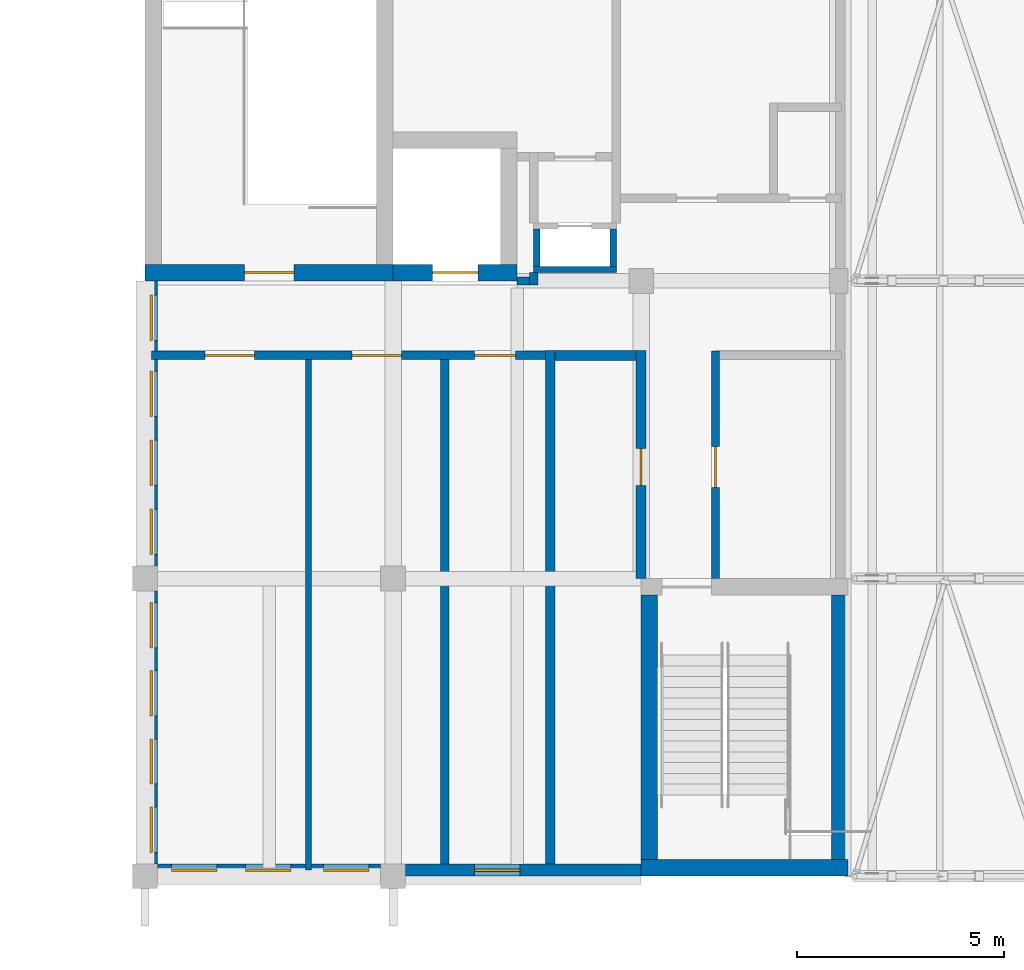
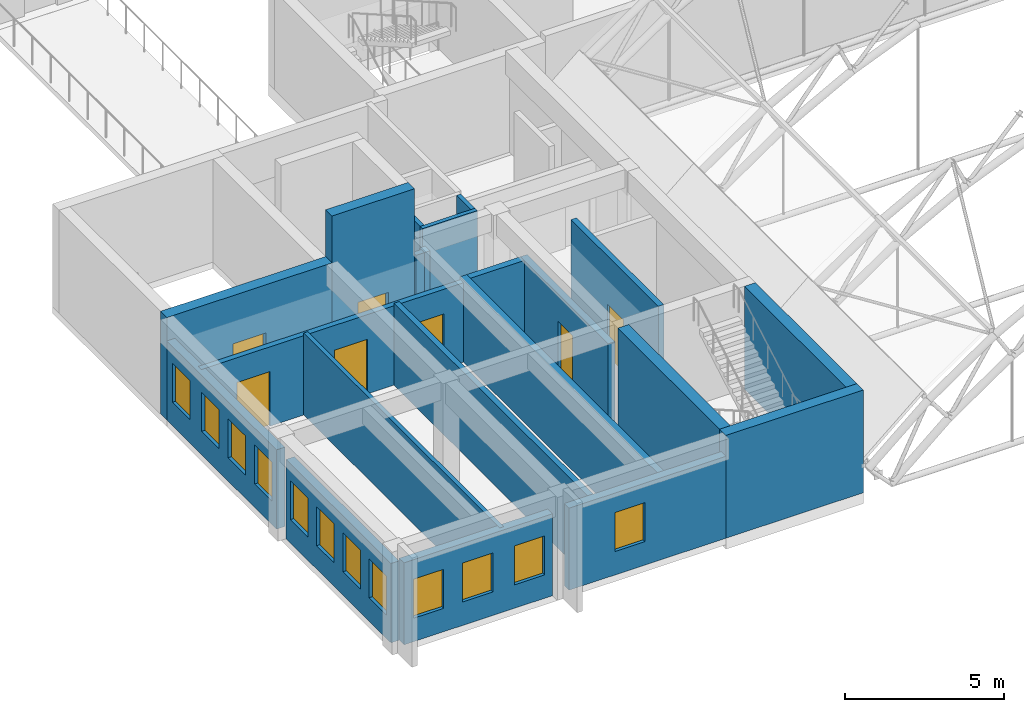
# One storey, part 69 of 101: 21 walls, 12 windows, 7 doors, 19 openings.
"""IFC4 building model written with IfcOpenShell, lengths in metres."""

from ifc_helpers import new_model, si_unit, direction, frame, frame_2d, origin, place, context, subcontext, project, spatial, rectangle, extrude, material, layer, layer_set, type_object, element, fill, save


model = new_model("IFC4")

# Units and contexts
model_context = context("Model", 3, precision=1e-05, world=origin(), true_north=direction((0.0, 1.0)))
body_context = subcontext(model_context, "Body", "Model", "MODEL_VIEW")
ifc_project = project(units=[si_unit("LENGTHUNIT", "METRE"), si_unit("AREAUNIT", "SQUARE_METRE"), si_unit("VOLUMEUNIT", "CUBIC_METRE"), si_unit("PLANEANGLEUNIT", "RADIAN"), si_unit("MASSUNIT", "GRAM", prefix="KILO")], contexts=[model_context])

# Site, building, storey
site_placement = place(None, origin())
site = spatial("IfcSite", under=ifc_project, at=site_placement, CompositionType="ELEMENT")
building_placement = place(site_placement, origin())
building = spatial("IfcBuilding", under=site, at=building_placement, Name="Laocheng Heights Fire and Rescue Headquarters", CompositionType="ELEMENT")
storey_placement = place(building_placement, frame((0.0, 0.0, 8.39990234375)))
storey = spatial("IfcBuildingStorey", under=building, at=storey_placement, Name="L02", CompositionType="ELEMENT", Elevation=8.39990234375)

# Walls
ifc_material_1 = material(Name="Gypsum plaster")
ifc_layer_1 = layer(ifc_material_1, 0.010009765625, Name="PLASTER", Category="plaster")
ifc_material_2 = material(Name="Concrete blockwork MU10", Category="masonry")
ifc_layer_2 = layer(ifc_material_2, 0.179931640625, Name="BLOCKWORK", Category="masonry")
ifc_layer_3 = layer(ifc_material_1, 0.010009765625, Name="PLASTER", Category="plaster")
ifc_layer_set_1 = layer_set([ifc_layer_1, ifc_layer_2, ifc_layer_3], Name="Concrete blockwork MU10")
wall_type_1 = type_object("IfcWallType", Name="BLOCKWORK FIRE PARTITION 200 EI 60 BAY", PredefinedType="PARTITIONING", material=ifc_layer_set_1)
wall_1_placement = place(storey_placement, frame((7.25, 0.14990234375, 0.0), z_axis=(0.0, 0.0, 1.0), x_axis=(0.0, 1.0, 0.0)))
element("IfcWall", 1, at=wall_1_placement, inside=storey, type_object=wall_type_1, Name="Partition L02-002", PredefinedType="PARTITIONING", context=body_context, shape_type="SweptSolid", body=[
    extrude(rectangle(XDim=12.35009765625, YDim=0.199951171875, at=frame_2d((6.175048828125, 0.0))), origin(), (0.0, 0.0, 1.0), 3.150146484375),
])
wall_2_placement = place(storey_placement, frame((9.39990234375, 14.300048828125, 0.0), z_axis=(0.0, 0.0, 1.0), x_axis=(0.0, 1.0, 0.0)))
element("IfcWall", 2, at=wall_2_placement, inside=storey, type_object=wall_type_1, Name="Partition L02-003", PredefinedType="PARTITIONING", context=body_context, shape_type="SweptSolid", body=[
    extrude(rectangle(XDim=0.300048828125, YDim=0.199951171875, at=frame_2d((0.14990234375, 0.0))), origin(), (0.0, 0.0, 1.0), 3.25),
])

# Wall, opening, door
wall_3_placement = place(storey_placement, frame((13.800048828125, 7.199951171875, 0.0), z_axis=(0.0, 0.0, 1.0), x_axis=(0.0, 1.0, 0.0)))
wall_3 = element("IfcWall", 3, at=wall_3_placement, inside=storey, type_object=wall_type_1, Name="Partition L02-008", PredefinedType="PARTITIONING", context=body_context, shape_type="SweptSolid", body=[
    extrude(rectangle(XDim=5.5, YDim=0.199951171875, at=frame_2d((2.75, 0.0))), origin(), (0.0, 0.0, 1.0), 3.9501953125),
])
opening_1_placement = place(wall_3_placement, frame((2.199951171875, 0.0, 0.0)))
opening_1 = element("IfcOpeningElement", 4, at=opening_1_placement, cuts=wall_3, Name="Opening L02-I05", PredefinedType="OPENING", context=body_context, shape_type="SweptSolid", body=[
    extrude(rectangle(XDim=1.0, YDim=2.10009765625, at=frame_2d((0.5, 1.050048828125))), frame((0.0, 0.10986328125, 0.0), z_axis=(0.0, -1.0, 0.0), x_axis=(1.0, 0.0, 0.0)), (0.0, 0.0, 1.0), 0.219970703125),
])
ifc_material_3 = material(Name="Steel door leaf, painted", Category="steel")
door_type_1 = type_object("IfcDoorType", Name="STEEL FIRE DOOR 1000x2100 EI 60 BAY", OperationType="SINGLE_SWING_LEFT", PredefinedType="DOOR", material=ifc_material_3)
door_1_placement = place(opening_1_placement, frame((1.0, 0.0, 0.0), z_axis=(0.0, 0.0, 1.0), x_axis=(-1.0, 0.0, 0.0)))
door_1 = element("IfcDoor", 5, at=door_1_placement, inside=storey, type_object=door_type_1, Name="Door L02-I05", OperationType="SINGLE_SWING_LEFT", OverallHeight=2.10009765625, OverallWidth=1.0, PredefinedType="DOOR", context=body_context, shape_type="SweptSolid", body=[
    extrude(rectangle(XDim=1.0, YDim=2.10009765625, at=frame_2d((0.5, 1.050048828125))), frame((0.0, 0.02490234375, 0.0), z_axis=(0.0, -1.0, 0.0), x_axis=(1.0, 0.0, 0.0)), (0.0, 0.0, 1.0), 0.050048828125),
])
fill(opening_1, door_1)

# Wall, openings, doors
wall_4_placement = place(storey_placement, frame((0.14990234375, 12.60009765625, 0.0), z_axis=(0.0, 0.0, 1.0), x_axis=(1.0, 0.0, 0.0)))
wall_4 = element("IfcWall", 6, at=wall_4_placement, inside=storey, type_object=wall_type_1, Name="Partition L02-016", PredefinedType="PARTITIONING", context=body_context, shape_type="SweptSolid", body=[
    extrude(rectangle(XDim=9.530029296875, YDim=0.199951171875, at=frame_2d((4.76513671875, 0.0))), origin(), (0.0, 0.0, 1.0), 3.050048828125),
])
opening_2_placement = place(wall_4_placement, frame((1.300048828125, 0.0, 0.0)))
opening_2 = element("IfcOpeningElement", 7, at=opening_2_placement, cuts=wall_4, Name="Opening L02-I01", PredefinedType="OPENING", context=body_context, shape_type="SweptSolid", body=[
    extrude(rectangle(XDim=1.199951171875, YDim=2.10009765625, at=frame_2d((0.60009765625, 1.050048828125))), frame((0.0, 0.10986328125, 0.0), z_axis=(0.0, -1.0, 0.0), x_axis=(1.0, 0.0, 0.0)), (0.0, 0.0, 1.0), 0.219970703125),
])
opening_3_placement = place(wall_4_placement, frame((4.85009765625, 0.0, 0.0)))
opening_3 = element("IfcOpeningElement", 8, at=opening_3_placement, cuts=wall_4, Name="Opening L02-I02", PredefinedType="OPENING", context=body_context, shape_type="SweptSolid", body=[
    extrude(rectangle(XDim=1.199951171875, YDim=2.10009765625, at=frame_2d((0.60009765625, 1.050048828125))), frame((0.0, 0.10986328125, 0.0), z_axis=(0.0, -1.0, 0.0), x_axis=(1.0, 0.0, 0.0)), (0.0, 0.0, 1.0), 0.219970703125),
])
opening_4_placement = place(wall_4_placement, frame((7.81494140625, 0.0, 0.0)))
opening_4 = element("IfcOpeningElement", 9, at=opening_4_placement, cuts=wall_4, Name="Opening L02-I03", PredefinedType="OPENING", context=body_context, shape_type="SweptSolid", body=[
    extrude(rectangle(XDim=1.0, YDim=2.10009765625, at=frame_2d((0.5, 1.050048828125))), frame((0.0, 0.10986328125, 0.0), z_axis=(0.0, -1.0, 0.0), x_axis=(1.0, 0.0, 0.0)), (0.0, 0.0, 1.0), 0.219970703125),
])
door_2_placement = place(opening_4_placement, frame((1.0, 0.0, 0.0), z_axis=(0.0, 0.0, 1.0), x_axis=(-1.0, 0.0, 0.0)))
door_2 = element("IfcDoor", 10, at=door_2_placement, inside=storey, type_object=door_type_1, Name="Door L02-I03", OperationType="SINGLE_SWING_RIGHT", OverallHeight=2.10009765625, OverallWidth=1.0, PredefinedType="DOOR", context=body_context, shape_type="SweptSolid", body=[
    extrude(rectangle(XDim=1.0, YDim=2.10009765625, at=frame_2d((0.5, 1.050048828125))), frame((0.0, 0.02490234375, 0.0), z_axis=(0.0, -1.0, 0.0), x_axis=(1.0, 0.0, 0.0)), (0.0, 0.0, 1.0), 0.050048828125),
])
fill(opening_4, door_2)
ifc_material_4 = material(Name="Steel door leaf, painted", Category="steel")
door_type_2 = type_object("IfcDoorType", Name="STEEL FIRE DOOR 1200x2100 EI 60 BAY", OperationType="SINGLE_SWING_LEFT", PredefinedType="DOOR", material=ifc_material_4)
door_3_placement = place(opening_2_placement, frame((1.199951171875, 0.0, 0.0), z_axis=(0.0, 0.0, 1.0), x_axis=(-1.0, 0.0, 0.0)))
door_3 = element("IfcDoor", 11, at=door_3_placement, inside=storey, type_object=door_type_2, Name="Door L02-I01", OperationType="SINGLE_SWING_RIGHT", OverallHeight=2.10009765625, OverallWidth=1.199951171875, PredefinedType="DOOR", context=body_context, shape_type="SweptSolid", body=[
    extrude(rectangle(XDim=1.199951171875, YDim=2.10009765625, at=frame_2d((0.60009765625, 1.050048828125))), frame((0.0, 0.02490234375, 0.0), z_axis=(0.0, -1.0, 0.0), x_axis=(1.0, 0.0, 0.0)), (0.0, 0.0, 1.0), 0.050048828125),
])
fill(opening_2, door_3)
door_4_placement = place(opening_3_placement, frame((1.199951171875, 0.0, 0.0), z_axis=(0.0, 0.0, 1.0), x_axis=(-1.0, 0.0, 0.0)))
door_4 = element("IfcDoor", 12, at=door_4_placement, inside=storey, type_object=door_type_2, Name="Door L02-I02", OperationType="SINGLE_SWING_LEFT", OverallHeight=2.10009765625, OverallWidth=1.199951171875, PredefinedType="DOOR", context=body_context, shape_type="SweptSolid", body=[
    extrude(rectangle(XDim=1.199951171875, YDim=2.10009765625, at=frame_2d((0.60009765625, 1.050048828125))), frame((0.0, 0.02490234375, 0.0), z_axis=(0.0, -1.0, 0.0), x_axis=(1.0, 0.0, 0.0)), (0.0, 0.0, 1.0), 0.050048828125),
])
fill(opening_3, door_4)

# Walls
wall_5_placement = place(storey_placement, frame((9.0, 14.39990234375, 0.0), z_axis=(0.0, 0.0, 1.0), x_axis=(1.0, 0.0, 0.0)))
element("IfcWall", 13, at=wall_5_placement, inside=storey, type_object=wall_type_1, Name="Partition L02-021", PredefinedType="PARTITIONING", context=body_context, shape_type="SweptSolid", body=[
    extrude(rectangle(XDim=0.300048828125, YDim=0.199951171875, at=frame_2d((0.14990234375, 0.0))), origin(), (0.0, 0.0, 1.0), 3.25),
])
ifc_material_5 = material(Name="Gypsum plaster")
ifc_layer_4 = layer(ifc_material_5, 0.010009765625, Name="PLASTER", Category="plaster")
ifc_material_6 = material(Name="Concrete blockwork MU10", Category="masonry")
ifc_layer_5 = layer(ifc_material_6, 0.1298828125, Name="BLOCKWORK", Category="masonry")
ifc_layer_6 = layer(ifc_material_5, 0.010009765625, Name="PLASTER", Category="plaster")
ifc_layer_set_2 = layer_set([ifc_layer_4, ifc_layer_5, ifc_layer_6], Name="Concrete blockwork MU10")
wall_type_2 = type_object("IfcWallType", Name="BLOCKWORK PARTITION 150 EI 45 BAY", PredefinedType="PARTITIONING", material=ifc_layer_set_2)
wall_6_placement = place(storey_placement, frame((3.949951171875, 0.14990234375, 0.0), z_axis=(0.0, 0.0, 1.0), x_axis=(0.0, 1.0, 0.0)))
element("IfcWall", 14, at=wall_6_placement, inside=storey, type_object=wall_type_2, Name="Partition L02-001", PredefinedType="PARTITIONING", context=body_context, shape_type="SweptSolid", body=[
    extrude(rectangle(XDim=12.35009765625, YDim=0.14990234375, at=frame_2d((6.175048828125, 0.0))), origin(), (0.0, 0.0, 1.0), 3.150146484375),
])
ifc_material_7 = material(Name="Gypsum plaster")
ifc_layer_7 = layer(ifc_material_7, 0.010009765625, Name="PLASTER", Category="plaster")
ifc_material_8 = material(Name="Clay brick masonry MU10", Category="masonry")
ifc_layer_8 = layer(ifc_material_8, 0.219970703125, Name="BLOCKWORK", Category="masonry")
ifc_layer_9 = layer(ifc_material_7, 0.010009765625, Name="PLASTER", Category="plaster")
ifc_layer_set_3 = layer_set([ifc_layer_7, ifc_layer_8, ifc_layer_9], Name="Clay brick masonry MU10")
wall_type_3 = type_object("IfcWallType", Name="CLAY BRICK WALL 240 EI 120 BAY", PredefinedType="PARTITIONING", material=ifc_layer_set_3)
wall_7_placement = place(storey_placement, frame((9.800048828125, 0.14990234375, 0.0), z_axis=(0.0, 0.0, 1.0), x_axis=(0.0, 1.0, 0.0)))
element("IfcWall", 15, at=wall_7_placement, inside=storey, type_object=wall_type_3, Name="Partition L02-005", PredefinedType="PARTITIONING", context=body_context, shape_type="SweptSolid", body=[
    extrude(rectangle(XDim=12.570068359375, YDim=0.239990234375, at=frame_2d((6.28515625, 0.0))), origin(), (0.0, 0.0, 1.0), 3.150146484375),
])

# Wall, opening, door
wall_8_placement = place(storey_placement, frame((12.0, 7.199951171875, 0.0), z_axis=(0.0, 0.0, 1.0), x_axis=(0.0, 1.0, 0.0)))
wall_8 = element("IfcWall", 16, at=wall_8_placement, inside=storey, type_object=wall_type_3, Name="Partition L02-007", PredefinedType="PARTITIONING", context=body_context, shape_type="SweptSolid", body=[
    extrude(rectangle(XDim=5.52001953125, YDim=0.239990234375, at=frame_2d((2.760009765625, 0.0))), origin(), (0.0, 0.0, 1.0), 3.150146484375),
])
opening_5_placement = place(wall_8_placement, frame((2.25, 0.0, 0.0)))
opening_5 = element("IfcOpeningElement", 17, at=opening_5_placement, cuts=wall_8, Name="Opening L02-I04", PredefinedType="OPENING", context=body_context, shape_type="SweptSolid", body=[
    extrude(rectangle(XDim=0.89990234375, YDim=2.10009765625, at=frame_2d((0.449951171875, 1.050048828125))), frame((0.0, 0.1298828125, 0.0), z_axis=(0.0, -1.0, 0.0), x_axis=(1.0, 0.0, 0.0)), (0.0, 0.0, 1.0), 0.260009765625),
])
ifc_material_9 = material(Name="Steel door leaf, painted", Category="steel")
door_type_3 = type_object("IfcDoorType", Name="STEEL FIRE DOOR 900x2100 EI 120 BAY", OperationType="SINGLE_SWING_LEFT", PredefinedType="DOOR", material=ifc_material_9)
door_5_placement = place(opening_5_placement, origin())
door_5 = element("IfcDoor", 18, at=door_5_placement, inside=storey, type_object=door_type_3, Name="Door L02-I04", OperationType="SINGLE_SWING_RIGHT", OverallHeight=2.10009765625, OverallWidth=0.89990234375, PredefinedType="DOOR", context=body_context, shape_type="SweptSolid", body=[
    extrude(rectangle(XDim=0.89990234375, YDim=2.10009765625, at=frame_2d((0.449951171875, 1.050048828125))), frame((0.0, 0.02490234375, 0.0), z_axis=(0.0, -1.0, 0.0), x_axis=(1.0, 0.0, 0.0)), (0.0, 0.0, 1.0), 0.050048828125),
])
fill(opening_5, door_5)

# Wall
wall_9_placement = place(storey_placement, frame((9.919921875, 12.60009765625, 0.0), z_axis=(0.0, 0.0, 1.0), x_axis=(1.0, 0.0, 0.0)))
element("IfcWall", 19, at=wall_9_placement, inside=storey, type_object=wall_type_3, Name="Partition L02-017", PredefinedType="PARTITIONING", context=body_context, shape_type="SweptSolid", body=[
    extrude(rectangle(XDim=1.9599609375, YDim=0.239990234375, at=frame_2d((0.97998046875, 0.0))), origin(), (0.0, 0.0, 1.0), 3.150146484375),
])

# Wall, openings, windows
ifc_material_10 = material(Name="Precast concrete C40/50", Category="concrete")
ifc_layer_10 = layer(ifc_material_10, 0.300048828125)
ifc_layer_set_4 = layer_set([ifc_layer_10], Name="Precast concrete C40/50")
wall_type_4 = type_object("IfcWallType", Name="PRECAST SANDWICH WALL 300 WEST FLANK", PredefinedType="SOLIDWALL", material=ifc_layer_set_4)
wall_10_placement = place(storey_placement, frame((0.300048828125, 0.14990234375, 0.0), z_axis=(0.0, 0.0, 1.0), x_axis=(1.0, 0.0, 0.0)))
wall_10 = element("IfcWall", 20, at=wall_10_placement, inside=storey, type_object=wall_type_4, Name="Flank W wall L02", PredefinedType="SOLIDWALL", context=body_context, shape_type="SweptSolid", body=[
    extrude(rectangle(XDim=5.39990234375, YDim=0.300048828125, at=frame_2d((2.699951171875, 0.0))), origin(), (0.0, 0.0, 1.0), 3.150146484375),
])
opening_6_placement = place(wall_10_placement, frame((0.34375, 0.0, 0.89990234375)))
opening_6 = element("IfcOpeningElement", 21, at=opening_6_placement, cuts=wall_10, Name="Opening N1-E", PredefinedType="OPENING", context=body_context, shape_type="SweptSolid", body=[
    extrude(rectangle(XDim=1.10009765625, YDim=1.5, at=frame_2d((0.550048828125, 0.75))), frame((0.0, 0.159912109375, 0.0), z_axis=(0.0, -1.0, 0.0), x_axis=(1.0, 0.0, 0.0)), (0.0, 0.0, 1.0), 0.320068359375),
])
opening_7_placement = place(wall_10_placement, frame((2.13134765625, 0.0, 0.89990234375)))
opening_7 = element("IfcOpeningElement", 22, at=opening_7_placement, cuts=wall_10, Name="Opening N1-E", PredefinedType="OPENING", context=body_context, shape_type="SweptSolid", body=[
    extrude(rectangle(XDim=1.10009765625, YDim=1.5, at=frame_2d((0.550048828125, 0.75))), frame((0.0, 0.159912109375, 0.0), z_axis=(0.0, -1.0, 0.0), x_axis=(1.0, 0.0, 0.0)), (0.0, 0.0, 1.0), 0.320068359375),
])
opening_8_placement = place(wall_10_placement, frame((4.012451171875, 0.0, 0.89990234375)))
opening_8 = element("IfcOpeningElement", 23, at=opening_8_placement, cuts=wall_10, Name="Opening N1-E", PredefinedType="OPENING", context=body_context, shape_type="SweptSolid", body=[
    extrude(rectangle(XDim=1.10009765625, YDim=1.5, at=frame_2d((0.550048828125, 0.75))), frame((0.0, 0.159912109375, 0.0), z_axis=(0.0, -1.0, 0.0), x_axis=(1.0, 0.0, 0.0)), (0.0, 0.0, 1.0), 0.320068359375),
])
ifc_material_11 = material(Name="Low-e double glazing in thermally broken aluminium frame", Category="aluminium")
window_type = type_object("IfcWindowType", Name="CASEMENT WINDOW 1100 x 1500 SILL 900", PartitioningType="SINGLE_PANEL", PredefinedType="WINDOW", material=ifc_material_11)
window_1_placement = place(opening_6_placement, origin())
window_1 = element("IfcWindow", 24, at=window_1_placement, inside=storey, type_object=window_type, Name="Flank_W window L02", OverallHeight=1.5, OverallWidth=1.10009765625, PartitioningType="SINGLE_PANEL", PredefinedType="WINDOW", context=body_context, shape_type="SweptSolid", body=[
    extrude(rectangle(XDim=1.10009765625, YDim=1.5, at=frame_2d((0.550048828125, 0.75))), frame((0.0, 0.030029296875, 0.0), z_axis=(0.0, -1.0, 0.0), x_axis=(1.0, 0.0, 0.0)), (0.0, 0.0, 1.0), 0.06005859375),
])
fill(opening_6, window_1)
window_2_placement = place(opening_7_placement, origin())
window_2 = element("IfcWindow", 25, at=window_2_placement, inside=storey, type_object=window_type, Name="Flank_W window L02", OverallHeight=1.5, OverallWidth=1.10009765625, PartitioningType="SINGLE_PANEL", PredefinedType="WINDOW", context=body_context, shape_type="SweptSolid", body=[
    extrude(rectangle(XDim=1.10009765625, YDim=1.5, at=frame_2d((0.550048828125, 0.75))), frame((0.0, 0.030029296875, 0.0), z_axis=(0.0, -1.0, 0.0), x_axis=(1.0, 0.0, 0.0)), (0.0, 0.0, 1.0), 0.06005859375),
])
fill(opening_7, window_2)
window_3_placement = place(opening_8_placement, origin())
window_3 = element("IfcWindow", 26, at=window_3_placement, inside=storey, type_object=window_type, Name="Flank_W window L02", OverallHeight=1.5, OverallWidth=1.10009765625, PartitioningType="SINGLE_PANEL", PredefinedType="WINDOW", context=body_context, shape_type="SweptSolid", body=[
    extrude(rectangle(XDim=1.10009765625, YDim=1.5, at=frame_2d((0.550048828125, 0.75))), frame((0.0, 0.030029296875, 0.0), z_axis=(0.0, -1.0, 0.0), x_axis=(1.0, 0.0, 0.0)), (0.0, 0.0, 1.0), 0.06005859375),
])
fill(opening_8, window_3)

# Wall, opening, window
wall_11_placement = place(storey_placement, frame((6.300048828125, 0.14990234375, 0.0), z_axis=(0.0, 0.0, 1.0), x_axis=(1.0, 0.0, 0.0)))
wall_11 = element("IfcWall", 27, at=wall_11_placement, inside=storey, type_object=wall_type_4, Name="Flank W wall L02", PredefinedType="SOLIDWALL", context=body_context, shape_type="SweptSolid", body=[
    extrude(rectangle(XDim=5.699951171875, YDim=0.300048828125, at=frame_2d((2.85009765625, 0.0))), origin(), (0.0, 0.0, 1.0), 3.150146484375),
])
opening_9_placement = place(wall_11_placement, frame((1.6650390625, 0.0, 0.89990234375)))
opening_9 = element("IfcOpeningElement", 28, at=opening_9_placement, cuts=wall_11, Name="Opening N1-E", PredefinedType="OPENING", context=body_context, shape_type="SweptSolid", body=[
    extrude(rectangle(XDim=1.10009765625, YDim=1.5, at=frame_2d((0.550048828125, 0.75))), frame((0.0, 0.159912109375, 0.0), z_axis=(0.0, -1.0, 0.0), x_axis=(1.0, 0.0, 0.0)), (0.0, 0.0, 1.0), 0.320068359375),
])
window_4_placement = place(opening_9_placement, origin())
window_4 = element("IfcWindow", 29, at=window_4_placement, inside=storey, type_object=window_type, Name="Flank_W window L02", OverallHeight=1.5, OverallWidth=1.10009765625, PartitioningType="SINGLE_PANEL", PredefinedType="WINDOW", context=body_context, shape_type="SweptSolid", body=[
    extrude(rectangle(XDim=1.10009765625, YDim=1.5, at=frame_2d((0.550048828125, 0.75))), frame((0.0, 0.030029296875, 0.0), z_axis=(0.0, -1.0, 0.0), x_axis=(1.0, 0.0, 0.0)), (0.0, 0.0, 1.0), 0.06005859375),
])
fill(opening_9, window_4)

# Wall, openings, windows
wall_12_placement = place(storey_placement, frame((0.14990234375, 0.300048828125, 0.0), z_axis=(0.0, 0.0, 1.0), x_axis=(0.0, 1.0, 0.0)))
wall_12 = element("IfcWall", 30, at=wall_12_placement, inside=storey, type_object=wall_type_4, Name="Flank W wall L02", PredefinedType="SOLIDWALL", context=body_context, shape_type="SweptSolid", body=[
    extrude(rectangle(XDim=6.599853515625, YDim=0.300048828125, at=frame_2d((3.2998046875, 0.0))), origin(), (0.0, 0.0, 1.0), 3.050048828125),
])
opening_10_placement = place(wall_12_placement, frame((0.27490234375, 0.0, 0.89990234375)))
opening_10 = element("IfcOpeningElement", 31, at=opening_10_placement, cuts=wall_12, Name="Opening N1-E", PredefinedType="OPENING", context=body_context, shape_type="SweptSolid", body=[
    extrude(rectangle(XDim=1.10009765625, YDim=1.5, at=frame_2d((0.550048828125, 0.75))), frame((0.0, 0.159912109375, 0.0), z_axis=(0.0, -1.0, 0.0), x_axis=(1.0, 0.0, 0.0)), (0.0, 0.0, 1.0), 0.320068359375),
])
opening_11_placement = place(wall_12_placement, frame((1.925048828125, 0.0, 0.89990234375)))
opening_11 = element("IfcOpeningElement", 32, at=opening_11_placement, cuts=wall_12, Name="Opening N1-E", PredefinedType="OPENING", context=body_context, shape_type="SweptSolid", body=[
    extrude(rectangle(XDim=1.10009765625, YDim=1.5, at=frame_2d((0.550048828125, 0.75))), frame((0.0, 0.159912109375, 0.0), z_axis=(0.0, -1.0, 0.0), x_axis=(1.0, 0.0, 0.0)), (0.0, 0.0, 1.0), 0.320068359375),
])
opening_12_placement = place(wall_12_placement, frame((3.574951171875, 0.0, 0.89990234375)))
opening_12 = element("IfcOpeningElement", 33, at=opening_12_placement, cuts=wall_12, Name="Opening N1-E", PredefinedType="OPENING", context=body_context, shape_type="SweptSolid", body=[
    extrude(rectangle(XDim=1.10009765625, YDim=1.5, at=frame_2d((0.550048828125, 0.75))), frame((0.0, 0.159912109375, 0.0), z_axis=(0.0, -1.0, 0.0), x_axis=(1.0, 0.0, 0.0)), (0.0, 0.0, 1.0), 0.320068359375),
])
opening_13_placement = place(wall_12_placement, frame((5.22509765625, 0.0, 0.89990234375)))
opening_13 = element("IfcOpeningElement", 34, at=opening_13_placement, cuts=wall_12, Name="Opening N1-E", PredefinedType="OPENING", context=body_context, shape_type="SweptSolid", body=[
    extrude(rectangle(XDim=1.10009765625, YDim=1.5, at=frame_2d((0.550048828125, 0.75))), frame((0.0, 0.159912109375, 0.0), z_axis=(0.0, -1.0, 0.0), x_axis=(1.0, 0.0, 0.0)), (0.0, 0.0, 1.0), 0.320068359375),
])
window_5_placement = place(opening_10_placement, origin())
window_5 = element("IfcWindow", 35, at=window_5_placement, inside=storey, type_object=window_type, Name="Flank_W window L02", OverallHeight=1.5, OverallWidth=1.10009765625, PartitioningType="SINGLE_PANEL", PredefinedType="WINDOW", context=body_context, shape_type="SweptSolid", body=[
    extrude(rectangle(XDim=1.10009765625, YDim=1.5, at=frame_2d((0.550048828125, 0.75))), frame((0.0, 0.030029296875, 0.0), z_axis=(0.0, -1.0, 0.0), x_axis=(1.0, 0.0, 0.0)), (0.0, 0.0, 1.0), 0.06005859375),
])
fill(opening_10, window_5)
window_6_placement = place(opening_11_placement, origin())
window_6 = element("IfcWindow", 36, at=window_6_placement, inside=storey, type_object=window_type, Name="Flank_W window L02", OverallHeight=1.5, OverallWidth=1.10009765625, PartitioningType="SINGLE_PANEL", PredefinedType="WINDOW", context=body_context, shape_type="SweptSolid", body=[
    extrude(rectangle(XDim=1.10009765625, YDim=1.5, at=frame_2d((0.550048828125, 0.75))), frame((0.0, 0.030029296875, 0.0), z_axis=(0.0, -1.0, 0.0), x_axis=(1.0, 0.0, 0.0)), (0.0, 0.0, 1.0), 0.06005859375),
])
fill(opening_11, window_6)
window_7_placement = place(opening_12_placement, origin())
window_7 = element("IfcWindow", 37, at=window_7_placement, inside=storey, type_object=window_type, Name="Flank_W window L02", OverallHeight=1.5, OverallWidth=1.10009765625, PartitioningType="SINGLE_PANEL", PredefinedType="WINDOW", context=body_context, shape_type="SweptSolid", body=[
    extrude(rectangle(XDim=1.10009765625, YDim=1.5, at=frame_2d((0.550048828125, 0.75))), frame((0.0, 0.030029296875, 0.0), z_axis=(0.0, -1.0, 0.0), x_axis=(1.0, 0.0, 0.0)), (0.0, 0.0, 1.0), 0.06005859375),
])
fill(opening_12, window_7)
window_8_placement = place(opening_13_placement, origin())
window_8 = element("IfcWindow", 38, at=window_8_placement, inside=storey, type_object=window_type, Name="Flank_W window L02", OverallHeight=1.5, OverallWidth=1.10009765625, PartitioningType="SINGLE_PANEL", PredefinedType="WINDOW", context=body_context, shape_type="SweptSolid", body=[
    extrude(rectangle(XDim=1.10009765625, YDim=1.5, at=frame_2d((0.550048828125, 0.75))), frame((0.0, 0.030029296875, 0.0), z_axis=(0.0, -1.0, 0.0), x_axis=(1.0, 0.0, 0.0)), (0.0, 0.0, 1.0), 0.06005859375),
])
fill(opening_13, window_8)

wall_13_placement = place(storey_placement, frame((0.14990234375, 7.5, 0.0), z_axis=(0.0, 0.0, 1.0), x_axis=(0.0, 1.0, 0.0)))
wall_13 = element("IfcWall", 39, at=wall_13_placement, inside=storey, type_object=wall_type_4, Name="Flank W wall L02", PredefinedType="SOLIDWALL", context=body_context, shape_type="SweptSolid", body=[
    extrude(rectangle(XDim=6.89990234375, YDim=0.300048828125, at=frame_2d((3.449951171875, 0.0))), origin(), (0.0, 0.0, 1.0), 3.050048828125),
])
opening_14_placement = place(wall_13_placement, frame((0.283203125, 0.0, 0.89990234375)))
opening_14 = element("IfcOpeningElement", 40, at=opening_14_placement, cuts=wall_13, Name="Opening N1-E", PredefinedType="OPENING", context=body_context, shape_type="SweptSolid", body=[
    extrude(rectangle(XDim=1.10009765625, YDim=1.5, at=frame_2d((0.550048828125, 0.75))), frame((0.0, 0.159912109375, 0.0), z_axis=(0.0, -1.0, 0.0), x_axis=(1.0, 0.0, 0.0)), (0.0, 0.0, 1.0), 0.320068359375),
])
opening_15_placement = place(wall_13_placement, frame((1.949951171875, 0.0, 0.89990234375)))
opening_15 = element("IfcOpeningElement", 41, at=opening_15_placement, cuts=wall_13, Name="Opening N1-E", PredefinedType="OPENING", context=body_context, shape_type="SweptSolid", body=[
    extrude(rectangle(XDim=1.10009765625, YDim=1.5, at=frame_2d((0.550048828125, 0.75))), frame((0.0, 0.159912109375, 0.0), z_axis=(0.0, -1.0, 0.0), x_axis=(1.0, 0.0, 0.0)), (0.0, 0.0, 1.0), 0.320068359375),
])
opening_16_placement = place(wall_13_placement, frame((3.61669921875, 0.0, 0.89990234375)))
opening_16 = element("IfcOpeningElement", 42, at=opening_16_placement, cuts=wall_13, Name="Opening N1-E", PredefinedType="OPENING", context=body_context, shape_type="SweptSolid", body=[
    extrude(rectangle(XDim=1.10009765625, YDim=1.5, at=frame_2d((0.550048828125, 0.75))), frame((0.0, 0.159912109375, 0.0), z_axis=(0.0, -1.0, 0.0), x_axis=(1.0, 0.0, 0.0)), (0.0, 0.0, 1.0), 0.320068359375),
])
opening_17_placement = place(wall_13_placement, frame((5.4599609375, 0.0, 0.89990234375)))
opening_17 = element("IfcOpeningElement", 43, at=opening_17_placement, cuts=wall_13, Name="Opening N1-E", PredefinedType="OPENING", context=body_context, shape_type="SweptSolid", body=[
    extrude(rectangle(XDim=1.10009765625, YDim=1.5, at=frame_2d((0.550048828125, 0.75))), frame((0.0, 0.159912109375, 0.0), z_axis=(0.0, -1.0, 0.0), x_axis=(1.0, 0.0, 0.0)), (0.0, 0.0, 1.0), 0.320068359375),
])
window_9_placement = place(opening_14_placement, origin())
window_9 = element("IfcWindow", 44, at=window_9_placement, inside=storey, type_object=window_type, Name="Flank_W window L02", OverallHeight=1.5, OverallWidth=1.10009765625, PartitioningType="SINGLE_PANEL", PredefinedType="WINDOW", context=body_context, shape_type="SweptSolid", body=[
    extrude(rectangle(XDim=1.10009765625, YDim=1.5, at=frame_2d((0.550048828125, 0.75))), frame((0.0, 0.030029296875, 0.0), z_axis=(0.0, -1.0, 0.0), x_axis=(1.0, 0.0, 0.0)), (0.0, 0.0, 1.0), 0.06005859375),
])
fill(opening_14, window_9)
window_10_placement = place(opening_15_placement, origin())
window_10 = element("IfcWindow", 45, at=window_10_placement, inside=storey, type_object=window_type, Name="Flank_W window L02", OverallHeight=1.5, OverallWidth=1.10009765625, PartitioningType="SINGLE_PANEL", PredefinedType="WINDOW", context=body_context, shape_type="SweptSolid", body=[
    extrude(rectangle(XDim=1.10009765625, YDim=1.5, at=frame_2d((0.550048828125, 0.75))), frame((0.0, 0.030029296875, 0.0), z_axis=(0.0, -1.0, 0.0), x_axis=(1.0, 0.0, 0.0)), (0.0, 0.0, 1.0), 0.06005859375),
])
fill(opening_15, window_10)
window_11_placement = place(opening_16_placement, origin())
window_11 = element("IfcWindow", 46, at=window_11_placement, inside=storey, type_object=window_type, Name="Flank_W window L02", OverallHeight=1.5, OverallWidth=1.10009765625, PartitioningType="SINGLE_PANEL", PredefinedType="WINDOW", context=body_context, shape_type="SweptSolid", body=[
    extrude(rectangle(XDim=1.10009765625, YDim=1.5, at=frame_2d((0.550048828125, 0.75))), frame((0.0, 0.030029296875, 0.0), z_axis=(0.0, -1.0, 0.0), x_axis=(1.0, 0.0, 0.0)), (0.0, 0.0, 1.0), 0.06005859375),
])
fill(opening_16, window_11)
window_12_placement = place(opening_17_placement, origin())
window_12 = element("IfcWindow", 47, at=window_12_placement, inside=storey, type_object=window_type, Name="Flank_W window L02", OverallHeight=1.5, OverallWidth=1.10009765625, PartitioningType="SINGLE_PANEL", PredefinedType="WINDOW", context=body_context, shape_type="SweptSolid", body=[
    extrude(rectangle(XDim=1.10009765625, YDim=1.5, at=frame_2d((0.550048828125, 0.75))), frame((0.0, 0.030029296875, 0.0), z_axis=(0.0, -1.0, 0.0), x_axis=(1.0, 0.0, 0.0)), (0.0, 0.0, 1.0), 0.06005859375),
])
fill(opening_17, window_12)

# Wall, opening, door
ifc_material_12 = material(Name="Concrete C50", Category="concrete")
ifc_layer_11 = layer(ifc_material_12, 0.39990234375)
ifc_layer_set_5 = layer_set([ifc_layer_11], Name="Concrete C50")
wall_type_5 = type_object("IfcWallType", Name="RC LIFT SHAFT WALL 400", PredefinedType="SHEAR", material=ifc_layer_set_5)
wall_14_placement = place(storey_placement, frame((6.0, 14.60009765625, 0.0), z_axis=(0.0, 0.0, 1.0), x_axis=(1.0, 0.0, 0.0)))
wall_14 = element("IfcWall", 48, at=wall_14_placement, inside=storey, type_object=wall_type_5, Name="Lift shaft wall", PredefinedType="SHEAR", context=body_context, shape_type="SweptSolid", body=[
    extrude(rectangle(XDim=3.0, YDim=0.39990234375, at=frame_2d((1.5, 0.0))), origin(), (0.0, 0.0, 1.0), 5.75),
])
opening_18_placement = place(wall_14_placement, frame((0.949951171875, 0.0, 0.0)))
opening_18 = element("IfcOpeningElement", 49, at=opening_18_placement, cuts=wall_14, Name="Opening L02-K02", PredefinedType="OPENING", context=body_context, shape_type="SweptSolid", body=[
    extrude(rectangle(XDim=1.10009765625, YDim=2.10009765625, at=frame_2d((0.550048828125, 1.050048828125))), frame((0.0, 0.2099609375, 0.0), z_axis=(0.0, -1.0, 0.0), x_axis=(1.0, 0.0, 0.0)), (0.0, 0.0, 1.0), 0.419921875),
])
ifc_material_13 = material(Name="Stainless steel", Category="steel")
door_type_4 = type_object("IfcDoorType", Name="LANDING DOOR W-L1 SLIDING 1100x2100 E 120", OperationType="DOUBLE_DOOR_SLIDING", PredefinedType="DOOR", material=ifc_material_13)
door_6_placement = place(opening_18_placement, origin())
door_6 = element("IfcDoor", 50, at=door_6_placement, inside=storey, type_object=door_type_4, Name="Landing door W-L1", OperationType="DOUBLE_DOOR_SLIDING", OverallHeight=2.10009765625, OverallWidth=1.10009765625, PredefinedType="DOOR", context=body_context, shape_type="SweptSolid", body=[
    extrude(rectangle(XDim=1.10009765625, YDim=2.10009765625, at=frame_2d((0.550048828125, 1.050048828125))), frame((0.0, 0.02490234375, 0.0), z_axis=(0.0, -1.0, 0.0), x_axis=(1.0, 0.0, 0.0)), (0.0, 0.0, 1.0), 0.050048828125),
])
fill(opening_18, door_6)

ifc_material_14 = material(Name="Concrete C50", Category="concrete")
ifc_layer_12 = layer(ifc_material_14, 0.39990234375)
ifc_layer_set_6 = layer_set([ifc_layer_12], Name="Concrete C50")
wall_type_6 = type_object("IfcWallType", Name="RC STAIR ENCLOSURE WALL 400", PredefinedType="SHEAR", material=ifc_layer_set_6)
wall_15_placement = place(storey_placement, frame((0.0, 14.60009765625, 0.0), z_axis=(0.0, 0.0, 1.0), x_axis=(1.0, 0.0, 0.0)))
wall_15 = element("IfcWall", 51, at=wall_15_placement, inside=storey, type_object=wall_type_6, Name="Stair enclosure wall", PredefinedType="SHEAR", context=body_context, shape_type="SweptSolid", body=[
    extrude(rectangle(XDim=6.0, YDim=0.39990234375, at=frame_2d((3.0, 0.0))), origin(), (0.0, 0.0, 1.0), 3.9501953125),
])
opening_19_placement = place(wall_15_placement, frame((2.39990234375, 0.0, 0.0)))
opening_19 = element("IfcOpeningElement", 52, at=opening_19_placement, cuts=wall_15, Name="Opening L02-K01", PredefinedType="OPENING", context=body_context, shape_type="SweptSolid", body=[
    extrude(rectangle(XDim=1.199951171875, YDim=2.10009765625, at=frame_2d((0.60009765625, 1.050048828125))), frame((0.0, 0.2099609375, 0.0), z_axis=(0.0, -1.0, 0.0), x_axis=(1.0, 0.0, 0.0)), (0.0, 0.0, 1.0), 0.419921875),
])
ifc_material_15 = material(Name="Painted steel", Category="steel")
door_type_5 = type_object("IfcDoorType", Name="FIRE DOOR 1200x2100 EI 60", OperationType="SINGLE_SWING_LEFT", PredefinedType="DOOR", material=ifc_material_15)
door_7_placement = place(opening_19_placement, origin())
door_7 = element("IfcDoor", 53, at=door_7_placement, inside=storey, type_object=door_type_5, Name="Stair W1 door", OperationType="SINGLE_SWING_LEFT", OverallHeight=2.10009765625, OverallWidth=1.199951171875, PredefinedType="DOOR", context=body_context, shape_type="SweptSolid", body=[
    extrude(rectangle(XDim=1.199951171875, YDim=2.10009765625, at=frame_2d((0.60009765625, 1.050048828125))), frame((0.0, 0.02490234375, 0.0), z_axis=(0.0, -1.0, 0.0), x_axis=(1.0, 0.0, 0.0)), (0.0, 0.0, 1.0), 0.050048828125),
])
fill(opening_19, door_7)

# Walls
wall_16_placement = place(storey_placement, frame((12.0, 0.199951171875, 0.0), z_axis=(0.0, 0.0, 1.0), x_axis=(1.0, 0.0, 0.0)))
element("IfcWall", 54, at=wall_16_placement, inside=storey, type_object=wall_type_6, Name="Stair enclosure wall", PredefinedType="SHEAR", context=body_context, shape_type="SweptSolid", body=[
    extrude(rectangle(XDim=5.0, YDim=0.39990234375, at=frame_2d((2.5, 0.0))), origin(), (0.0, 0.0, 1.0), 3.9501953125),
])
for number, where, z_axis, x_axis, name in (
    (55, (12.199951171875, 0.39990234375, 0.0), (0.0, 0.0, 1.0), (0.0, 1.0, 0.0), "Stair enclosure wall"),
    (56, (16.800048828125, 0.39990234375, 0.0), (0.0, 0.0, 1.0), (0.0, 1.0, 0.0), "Stair enclosure wall"),
):
    element("IfcWall", number, at=place(storey_placement, frame(where, z_axis=z_axis, x_axis=x_axis)), inside=storey, type_object=wall_type_6, Name=name, PredefinedType="SHEAR", context=body_context, shape_type="SweptSolid", body=[
        extrude(rectangle(XDim=6.400146484375, YDim=0.39990234375, at=frame_2d((3.2001953125, 0.0))), origin(), (0.0, 0.0, 1.0), 3.9501953125),
    ])
ifc_material_16 = material(Name="Concrete C30", Category="concrete")
ifc_layer_13 = layer(ifc_material_16, 0.14990234375)
ifc_layer_set_7 = layer_set([ifc_layer_13], Name="Concrete C30")
wall_type_7 = type_object("IfcWallType", Name="RISER SHAFT WALL 150", PredefinedType="SOLIDWALL", material=ifc_layer_set_7)
wall_17_placement = place(storey_placement, frame((9.39990234375, 14.675048828125, 0.0), z_axis=(0.0, 0.0, 1.0), x_axis=(1.0, 0.0, 0.0)))
element("IfcWall", 57, at=wall_17_placement, inside=storey, type_object=wall_type_7, Name="Riser shaft wall", PredefinedType="SOLIDWALL", context=body_context, shape_type="SweptSolid", body=[
    extrude(rectangle(XDim=2.0, YDim=0.14990234375, at=frame_2d((1.0, 0.0))), origin(), (0.0, 0.0, 1.0), 3.9501953125),
])
for number, where, z_axis, x_axis, name in (
    (58, (9.47509765625, 14.75, 0.0), (0.0, 0.0, 1.0), (0.0, 1.0, 0.0), "Riser shaft wall"),
    (59, (11.324951171875, 14.75, 0.0), (0.0, 0.0, 1.0), (0.0, 1.0, 0.0), "Riser shaft wall"),
):
    element("IfcWall", number, at=place(storey_placement, frame(where, z_axis=z_axis, x_axis=x_axis)), inside=storey, type_object=wall_type_7, Name=name, PredefinedType="SOLIDWALL", context=body_context, shape_type="SweptSolid", body=[
        extrude(rectangle(XDim=0.89990234375, YDim=0.14990234375, at=frame_2d((0.449951171875, 0.0))), origin(), (0.0, 0.0, 1.0), 3.9501953125),
    ])

save(model, "model.ifc")
